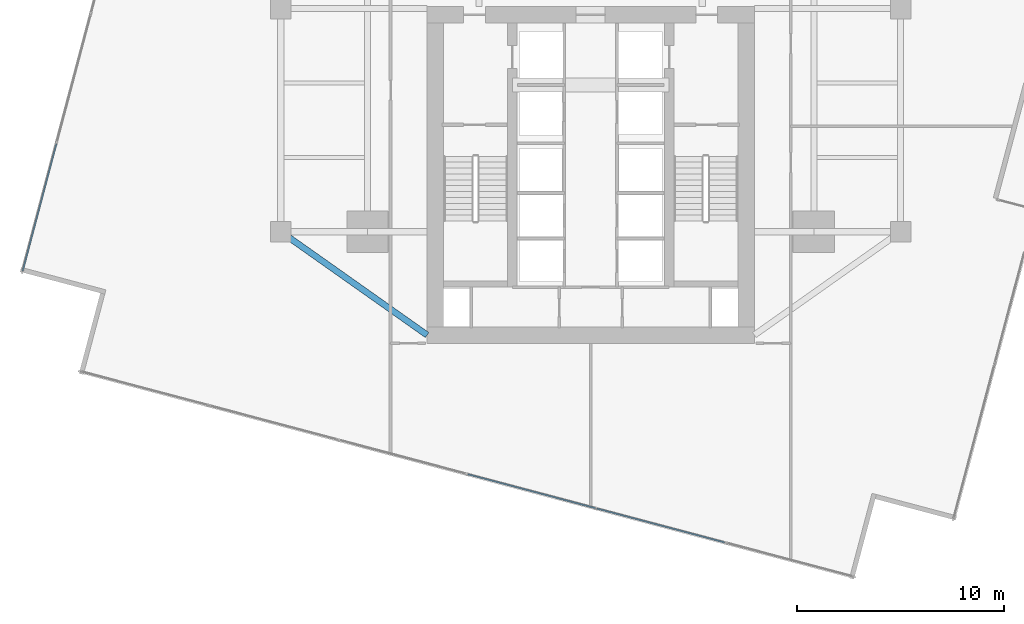
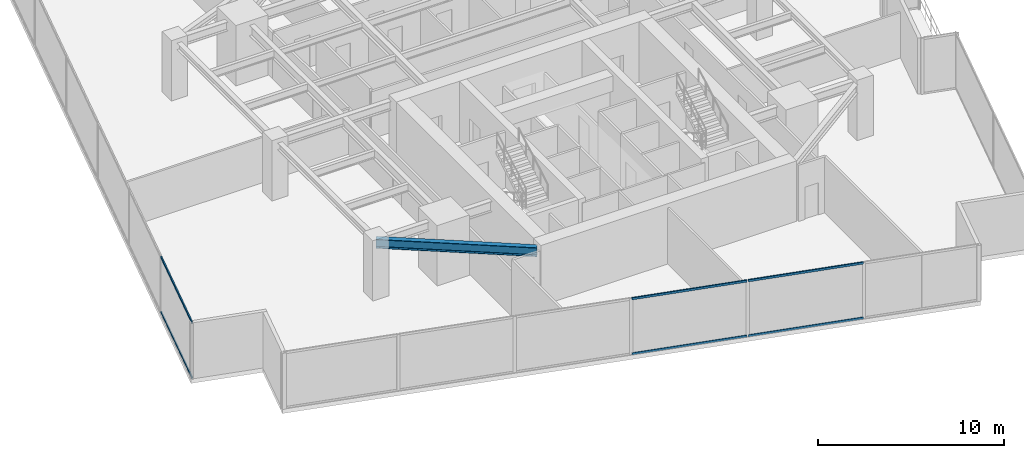
# One storey, part 5 of 27: 6 members, 1 beam, 2 elements without a shape of their own.
"""IFC4 building model written with IfcOpenShell, lengths in metres."""

from ifc_helpers import new_model, si_unit, direction, frame, origin, origin_2d, place, context, subcontext, project, spatial, hollow_rectangle, i_section, extrude, source, transform, mapped, material, material_profile, profile_set, type_object, type_shapes, element, aggregate, save


model = new_model("IFC4")

# Units and contexts
model_context = context("Model", 3, precision=1e-05, world=origin(), true_north=direction((0.0, 1.0)))
body_context = subcontext(model_context, "Body", "Model", "MODEL_VIEW")
ifc_project = project(units=[si_unit("LENGTHUNIT", "METRE"), si_unit("AREAUNIT", "SQUARE_METRE"), si_unit("VOLUMEUNIT", "CUBIC_METRE"), si_unit("PLANEANGLEUNIT", "RADIAN"), si_unit("MASSUNIT", "GRAM", prefix="KILO")], contexts=[model_context])

# Site, building, storey
site_placement = place(None, origin())
site = spatial("IfcSite", under=ifc_project, at=site_placement, CompositionType="ELEMENT")
building_placement = place(site_placement, origin())
building = spatial("IfcBuilding", under=site, at=building_placement, Name="Krantzveldt Concourse Tower", CompositionType="ELEMENT")
storey_placement = place(building_placement, frame((0.0, 0.0, 105.85009765625)))
storey = spatial("IfcBuildingStorey", under=building, at=storey_placement, Name="L25", CompositionType="ELEMENT", Elevation=105.85009765625)

# Beam
ifc_material_1 = material(Name="Steel S355JR", Category="steel")
ifc_material_profile_1 = material_profile(ifc_material_1, i_section(OverallWidth=0.300048828125, OverallDepth=0.590087890625, WebThickness=0.012939453125, FlangeThickness=0.02490234375, FilletRadius=0.027099609375, at=origin_2d()), Name="Steel S355JR", Category="steel")
ifc_profile_set_1 = profile_set([ifc_material_profile_1], Name="Steel S355JR - HEA 600")
beam_type = type_object("IfcBeamType", Name="BM-B-HEA600", PredefinedType="BEAM", material=ifc_profile_set_1)
shared_shape_1 = source(origin(), body_context, "Body", "SweptSolid", [
    extrude(i_section(OverallWidth=0.300048828125, OverallDepth=0.590087890625, WebThickness=0.012939453125, FlangeThickness=0.02490234375, FilletRadius=0.027099609375, at=origin_2d()), origin(), (0.0, 0.0, 1.0), 8.667724609375),
])
type_shapes(beam_type, [shared_shape_1])
beam_placement = place(storey_placement, frame((21.0, 15.89990234375, 3.375), z_axis=(0.81684294656, -0.576860122261, 0.0), x_axis=(0.576860122261, 0.81684294656, 0.0)))
element("IfcBeam", 1, at=beam_placement, inside=storey, type_object=beam_type, Name="L25 Tower Girder BR-CSW", PredefinedType="BEAM", context=body_context, shape_type="MappedRepresentation", body=[
    mapped(shared_shape_1, transform((0.0, 0.0, 0.0), x_axis=(1.0, 0.0, 0.0), y_axis=(0.0, 1.0, 0.0), z_axis=(0.0, 0.0, 1.0), scale=1.0)),
])

# Curtain wall, members
ifc_material_2 = material(Name="Anodised aluminium 6063-T6", Category="aluminium")
curtain_wall_type = type_object("IfcCurtainWallType", Name="CW2", PredefinedType="USERDEFINED", material=ifc_material_2)
curtain_wall_1_placement = place(storey_placement, origin())
curtain_wall_1 = element("IfcCurtainWall", 2, at=curtain_wall_1_placement, inside=storey, type_object=curtain_wall_type, Name="CW-L25-F01", ObjectType="UNITISED CURTAIN WALL", PredefinedType="USERDEFINED")
ifc_material_profile_2 = material_profile(ifc_material_2, hollow_rectangle(XDim=0.070068359375, YDim=0.139892578125, WallThickness=0.0048828125, at=origin_2d()), Name="Anodised aluminium 6063-T6", Category="aluminium")
ifc_profile_set_2 = profile_set([ifc_material_profile_2], Name="Anodised aluminium 6063-T6 - ALU-TRAN 140x70x5")
member_type = type_object("IfcMemberType", Name="CW-TRN-150", PredefinedType="USERDEFINED", material=ifc_profile_set_2)
shared_shape_2 = source(origin(), body_context, "Body", "SweptSolid", [
    extrude(hollow_rectangle(XDim=0.070068359375, YDim=0.139892578125, WallThickness=0.0048828125, at=origin_2d()), origin(), (0.0, 0.0, 1.0), 6.361572265625),
])
member_1_placement = place(storey_placement, frame((10.14208984375, 20.150146484375, 0.034912109375), z_axis=(-0.256704687877, -0.966489887801, 0.0), x_axis=(0.966489887801, -0.256704687877, 0.0)))
member_1 = element("IfcMember", 3, at=member_1_placement, type_object=member_type, Name="CW-Z12 transom 6.1", ObjectType="TRANSOM", PredefinedType="USERDEFINED", context=body_context, shape_type="MappedRepresentation", body=[
    mapped(shared_shape_2, transform((0.0, 0.0, 0.0), x_axis=(1.0, 0.0, 0.0), y_axis=(0.0, 1.0, 0.0), z_axis=(0.0, 0.0, 1.0), scale=1.0)),
])
member_2_placement = place(storey_placement, frame((10.14208984375, 20.150146484375, 3.635009765625), z_axis=(-0.256704687877, -0.966489887801, 0.0), x_axis=(0.966489887801, -0.256704687877, 0.0)))
member_2 = element("IfcMember", 4, at=member_2_placement, type_object=member_type, Name="CW-Z12 transom 6.2", ObjectType="TRANSOM", PredefinedType="USERDEFINED", context=body_context, shape_type="MappedRepresentation", body=[
    mapped(shared_shape_2, transform((0.0, 0.0, 0.0), x_axis=(1.0, 0.0, 0.0), y_axis=(0.0, 1.0, 0.0), z_axis=(0.0, 0.0, 1.0), scale=1.0)),
])
aggregate(curtain_wall_1, [member_1, member_2])

curtain_wall_2_placement = place(storey_placement, origin())
curtain_wall_2 = element("IfcCurtainWall", 5, at=curtain_wall_2_placement, inside=storey, type_object=curtain_wall_type, Name="CW-L25-F04", ObjectType="UNITISED CURTAIN WALL", PredefinedType="USERDEFINED")
shared_shape_3 = source(origin(), body_context, "Body", "SweptSolid", [
    extrude(hollow_rectangle(XDim=0.070068359375, YDim=0.139892578125, WallThickness=0.0048828125, at=origin_2d()), origin(), (0.0, 0.0, 1.0), 6.396728515625),
])
type_shapes(member_type, [shared_shape_2, shared_shape_3])
member_3_placement = place(storey_placement, frame((30.0498046875, 4.162109375, 0.034912109375), z_axis=(0.966489121884, -0.256707571528, 0.0), x_axis=(0.256707571528, 0.966489121884, 0.0)))
member_3 = element("IfcMember", 6, at=member_3_placement, type_object=member_type, Name="CW-Z12 transom 4.1", ObjectType="TRANSOM", PredefinedType="USERDEFINED", context=body_context, shape_type="MappedRepresentation", body=[
    mapped(shared_shape_3, transform((0.0, 0.0, 0.0), x_axis=(1.0, 0.0, 0.0), y_axis=(0.0, 1.0, 0.0), z_axis=(0.0, 0.0, 1.0), scale=1.0)),
])
member_4_placement = place(storey_placement, frame((30.0498046875, 4.162109375, 3.635009765625), z_axis=(0.966489121884, -0.256707571528, 0.0), x_axis=(0.256707571528, 0.966489121884, 0.0)))
member_4 = element("IfcMember", 7, at=member_4_placement, type_object=member_type, Name="CW-Z12 transom 4.2", ObjectType="TRANSOM", PredefinedType="USERDEFINED", context=body_context, shape_type="MappedRepresentation", body=[
    mapped(shared_shape_3, transform((0.0, 0.0, 0.0), x_axis=(1.0, 0.0, 0.0), y_axis=(0.0, 1.0, 0.0), z_axis=(0.0, 0.0, 1.0), scale=1.0)),
])
member_5_placement = place(storey_placement, frame((36.2998046875, 2.502197265625, 0.034912109375), z_axis=(0.966489121884, -0.256707571528, 0.0), x_axis=(0.256707571528, 0.966489121884, 0.0)))
member_5 = element("IfcMember", 8, at=member_5_placement, type_object=member_type, Name="CW-Z12 transom 5.1", ObjectType="TRANSOM", PredefinedType="USERDEFINED", context=body_context, shape_type="MappedRepresentation", body=[
    mapped(shared_shape_3, transform((0.0, 0.0, 0.0), x_axis=(1.0, 0.0, 0.0), y_axis=(0.0, 1.0, 0.0), z_axis=(0.0, 0.0, 1.0), scale=1.0)),
])
member_6_placement = place(storey_placement, frame((36.2998046875, 2.502197265625, 3.635009765625), z_axis=(0.966489121884, -0.256707571528, 0.0), x_axis=(0.256707571528, 0.966489121884, 0.0)))
member_6 = element("IfcMember", 9, at=member_6_placement, type_object=member_type, Name="CW-Z12 transom 5.2", ObjectType="TRANSOM", PredefinedType="USERDEFINED", context=body_context, shape_type="MappedRepresentation", body=[
    mapped(shared_shape_3, transform((0.0, 0.0, 0.0), x_axis=(1.0, 0.0, 0.0), y_axis=(0.0, 1.0, 0.0), z_axis=(0.0, 0.0, 1.0), scale=1.0)),
])
aggregate(curtain_wall_2, [member_3, member_4, member_5, member_6])

save(model, "model.ifc")
